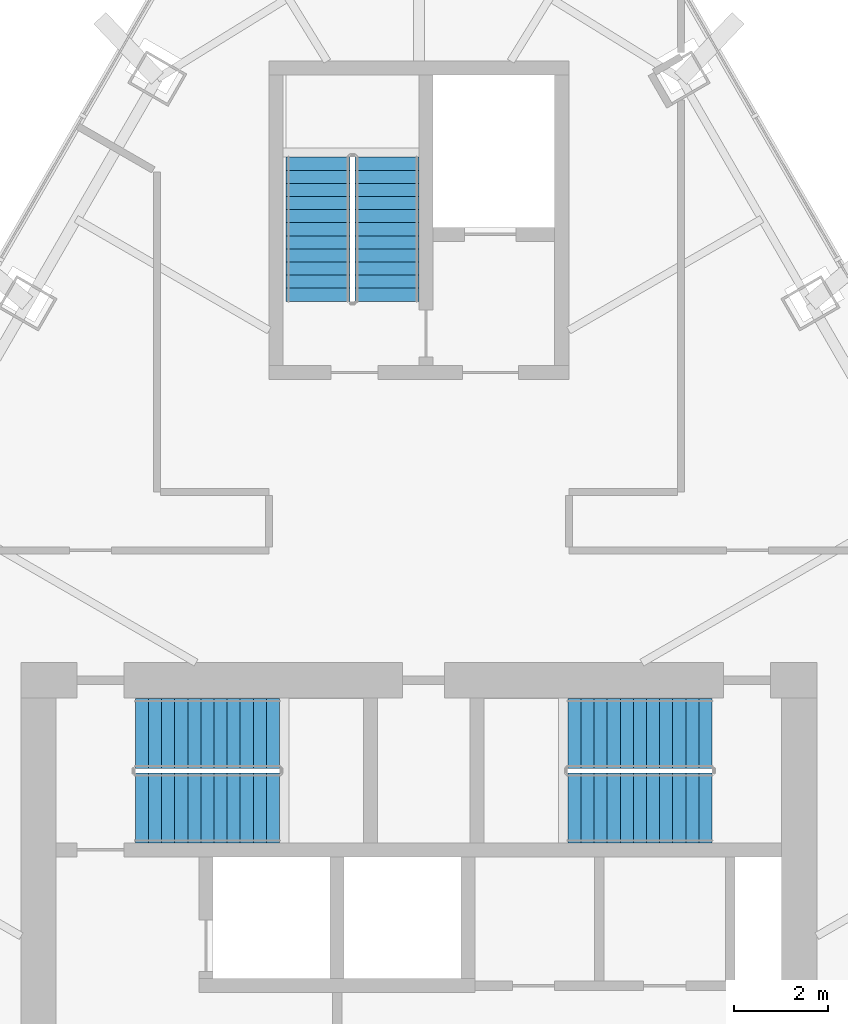
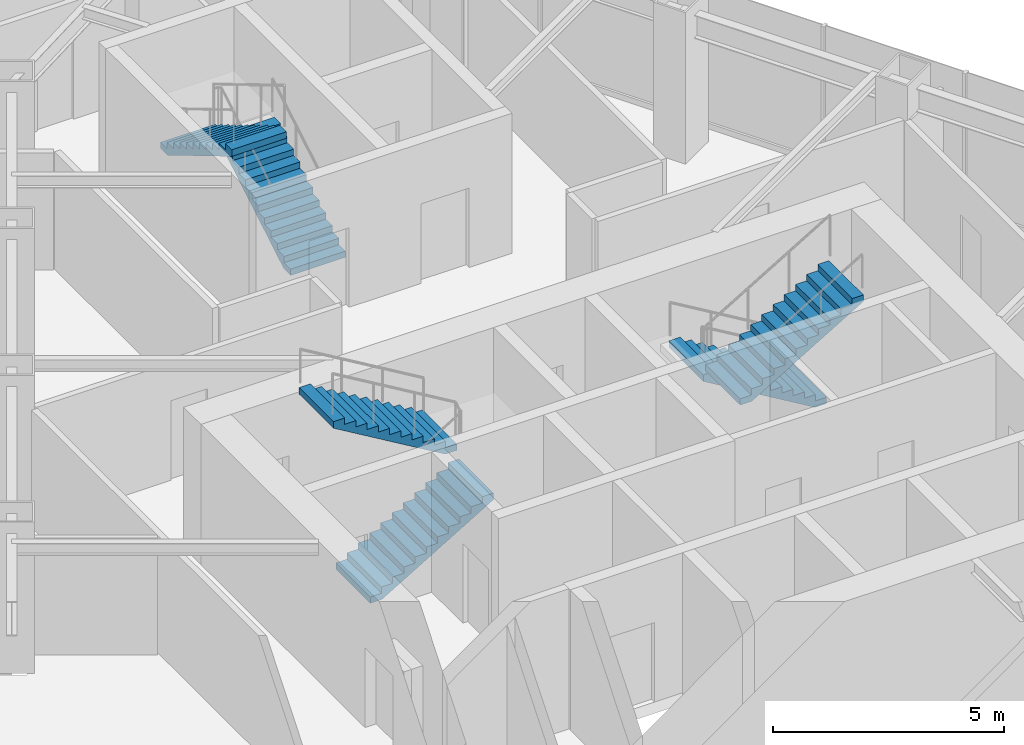
# One storey, part 13 of 14: 6 stair flights, 3 elements without a shape of their own.
"""IFC4 building model written with IfcOpenShell, lengths in metres."""

from ifc_helpers import new_model, si_unit, direction, frame, origin, place, context, subcontext, project, spatial, polyline, outline, extrude, material, type_object, element, aggregate, save


model = new_model("IFC4")

# Units and contexts
model_context = context("Model", 3, precision=1e-05, world=origin(), true_north=direction((0.0, 1.0)))
body_context = subcontext(model_context, "Body", "Model", "MODEL_VIEW")
ifc_project = project(units=[si_unit("LENGTHUNIT", "METRE"), si_unit("AREAUNIT", "SQUARE_METRE"), si_unit("VOLUMEUNIT", "CUBIC_METRE"), si_unit("PLANEANGLEUNIT", "RADIAN"), si_unit("MASSUNIT", "GRAM", prefix="KILO")], contexts=[model_context])

# Site, building, storey
site_placement = place(None, origin())
site = spatial("IfcSite", under=ifc_project, at=site_placement, CompositionType="ELEMENT")
building_placement = place(site_placement, origin())
building = spatial("IfcBuilding", under=site, at=building_placement, Name="Firuza Gate Tower and Library", CompositionType="ELEMENT")
storey_placement = place(building_placement, frame((0.0, 0.0, 331.60009765625)))
storey = spatial("IfcBuildingStorey", under=building, at=storey_placement, Name="L81", CompositionType="ELEMENT", Elevation=331.60009765625)

# Stair, stair flights
ifc_material_1 = material(Name="Concrete C35/45", Category="concrete")
stair_type_1 = type_object("IfcStairType", Name="Exit stair ST18", PredefinedType="HALF_TURN_STAIR", material=ifc_material_1)
placement = place(storey_placement, origin())
stair_1 = element("IfcStair", 1, at=placement, inside=storey, type_object=stair_type_1, Name="L81 Stair ST3", PredefinedType="HALF_TURN_STAIR")
ifc_material_2 = material(Name="Concrete C35/45", Category="concrete")
stair_flight_type_1 = type_object("IfcStairFlightType", Name="Stair flight 12 risers 166.7 width 1370", PredefinedType="STRAIGHT", material=ifc_material_2)
stair_flight_1_placement = place(storey_placement, frame((74.31494140625, 89.469970703125, 0.0), z_axis=(0.0, 0.0, 1.0), x_axis=(0.0, 1.0, 0.0)))
stair_flight_1 = element("IfcStairFlight", 2, at=stair_flight_1_placement, type_object=stair_flight_type_1, Name="ST3 flight 1", NumberOfRisers=12, NumberOfTreads=11, PredefinedType="STRAIGHT", RiserHeight=0.166666667, TreadLength=0.28, context=body_context, shape_type="SweptSolid", body=[
    extrude(outline(polyline([(0.0, 0.0), (0.0, 0.166748046875), (0.280029296875, 0.166748046875), (0.280029296875, 0.333251953125), (0.56005859375, 0.333251953125), (0.56005859375, 0.5), (0.840087890625, 0.5), (0.840087890625, 0.666748046875), (1.1201171875, 0.666748046875), (1.1201171875, 0.833251953125), (1.39990234375, 0.833251953125), (1.39990234375, 1.0), (1.679931640625, 1.0), (1.679931640625, 1.166748046875), (1.9599609375, 1.166748046875), (1.9599609375, 1.333251953125), (2.239990234375, 1.333251953125), (2.239990234375, 1.5), (2.52001953125, 1.5), (2.52001953125, 1.666748046875), (2.800048828125, 1.666748046875), (2.800048828125, 1.833251953125), (3.080078125, 1.833251953125), (3.080078125, 2.0), (3.080078125, 1.658935546875), (0.29296875, 0.0), (0.0, 0.0)])), frame((0.0, 0.68505859375, 0.0), z_axis=(0.0, -1.0, 0.0), x_axis=(1.0, 0.0, 0.0)), (0.0, 0.0, 1.0), 1.3701171875),
])
stair_flight_2_placement = place(storey_placement, frame((72.844970703125, 92.550048828125, 2.0), z_axis=(0.0, 0.0, 1.0), x_axis=(0.0, -1.0, 0.0)))
stair_flight_2 = element("IfcStairFlight", 3, at=stair_flight_2_placement, type_object=stair_flight_type_1, Name="ST3 flight 2", NumberOfRisers=12, NumberOfTreads=11, PredefinedType="STRAIGHT", RiserHeight=0.166666667, TreadLength=0.28, context=body_context, shape_type="SweptSolid", body=[
    extrude(outline(polyline([(0.0, 0.0), (0.0, 0.166748046875), (0.280029296875, 0.166748046875), (0.280029296875, 0.333251953125), (0.56005859375, 0.333251953125), (0.56005859375, 0.5), (0.840087890625, 0.5), (0.840087890625, 0.666748046875), (1.1201171875, 0.666748046875), (1.1201171875, 0.833251953125), (1.39990234375, 0.833251953125), (1.39990234375, 1.0), (1.679931640625, 1.0), (1.679931640625, 1.166748046875), (1.9599609375, 1.166748046875), (1.9599609375, 1.333251953125), (2.239990234375, 1.333251953125), (2.239990234375, 1.5), (2.52001953125, 1.5), (2.52001953125, 1.666748046875), (2.800048828125, 1.666748046875), (2.800048828125, 1.833251953125), (3.080078125, 1.833251953125), (3.080078125, 2.0), (3.080078125, 1.658935546875), (0.29296875, 0.0), (0.0, 0.0)])), frame((0.0, 0.68505859375, 0.0), z_axis=(0.0, -1.0, 0.0), x_axis=(1.0, 0.0, 0.0)), (0.0, 0.0, 1.0), 1.3701171875),
])
aggregate(stair_1, [stair_flight_1, stair_flight_2])

ifc_material_3 = material(Name="Concrete C35/45", Category="concrete")
stair_type_2 = type_object("IfcStairType", Name="Exit stair ST9", PredefinedType="HALF_TURN_STAIR", material=ifc_material_3)
stair_2 = element("IfcStair", 4, at=placement, inside=storey, type_object=stair_type_2, Name="L81 Stair ST1", PredefinedType="HALF_TURN_STAIR")
ifc_material_4 = material(Name="Concrete C35/45", Category="concrete")
stair_flight_type_2 = type_object("IfcStairFlightType", Name="Stair flight 12 risers 166.7 width 1490", PredefinedType="STRAIGHT", material=ifc_material_4)
stair_flight_3_placement = place(storey_placement, frame((68.93994140625, 78.64501953125, 0.0), z_axis=(0.0, 0.0, 1.0), x_axis=(1.0, 0.0, 0.0)))
stair_flight_3 = element("IfcStairFlight", 5, at=stair_flight_3_placement, type_object=stair_flight_type_2, Name="ST1 flight 1", NumberOfRisers=12, NumberOfTreads=11, PredefinedType="STRAIGHT", RiserHeight=0.166666667, TreadLength=0.28, context=body_context, shape_type="SweptSolid", body=[
    extrude(outline(polyline([(0.0, 0.0), (0.0, 0.166748046875), (0.280029296875, 0.166748046875), (0.280029296875, 0.333251953125), (0.56005859375, 0.333251953125), (0.56005859375, 0.5), (0.840087890625, 0.5), (0.840087890625, 0.666748046875), (1.1201171875, 0.666748046875), (1.1201171875, 0.833251953125), (1.39990234375, 0.833251953125), (1.39990234375, 1.0), (1.679931640625, 1.0), (1.679931640625, 1.166748046875), (1.9599609375, 1.166748046875), (1.9599609375, 1.333251953125), (2.239990234375, 1.333251953125), (2.239990234375, 1.5), (2.52001953125, 1.5), (2.52001953125, 1.666748046875), (2.800048828125, 1.666748046875), (2.800048828125, 1.833251953125), (3.080078125, 1.833251953125), (3.080078125, 2.0), (3.080078125, 1.658935546875), (0.29296875, 0.0), (0.0, 0.0)])), frame((0.0, 0.7451171875, 0.0), z_axis=(0.0, -1.0, 0.0), x_axis=(1.0, 0.0, 0.0)), (0.0, 0.0, 1.0), 1.489990234375),
])
stair_flight_4_placement = place(storey_placement, frame((72.02001953125, 80.235107421875, 2.0), z_axis=(0.0, 0.0, 1.0), x_axis=(-1.0, 0.0, 0.0)))
stair_flight_4 = element("IfcStairFlight", 6, at=stair_flight_4_placement, type_object=stair_flight_type_2, Name="ST1 flight 2", NumberOfRisers=12, NumberOfTreads=11, PredefinedType="STRAIGHT", RiserHeight=0.166666667, TreadLength=0.28, context=body_context, shape_type="SweptSolid", body=[
    extrude(outline(polyline([(0.0, 0.0), (0.0, 0.166748046875), (0.280029296875, 0.166748046875), (0.280029296875, 0.333251953125), (0.56005859375, 0.333251953125), (0.56005859375, 0.5), (0.840087890625, 0.5), (0.840087890625, 0.666748046875), (1.1201171875, 0.666748046875), (1.1201171875, 0.833251953125), (1.39990234375, 0.833251953125), (1.39990234375, 1.0), (1.679931640625, 1.0), (1.679931640625, 1.166748046875), (1.9599609375, 1.166748046875), (1.9599609375, 1.333251953125), (2.239990234375, 1.333251953125), (2.239990234375, 1.5), (2.52001953125, 1.5), (2.52001953125, 1.666748046875), (2.800048828125, 1.666748046875), (2.800048828125, 1.833251953125), (3.080078125, 1.833251953125), (3.080078125, 2.0), (3.080078125, 1.658935546875), (0.29296875, 0.0), (0.0, 0.0)])), frame((0.0, 0.7451171875, 0.0), z_axis=(0.0, -1.0, 0.0), x_axis=(1.0, 0.0, 0.0)), (0.0, 0.0, 1.0), 1.489990234375),
])
aggregate(stair_2, [stair_flight_3, stair_flight_4])

stair_3 = element("IfcStair", 7, at=placement, inside=storey, type_object=stair_type_2, Name="L81 Stair ST2", PredefinedType="HALF_TURN_STAIR")
stair_flight_5_placement = place(storey_placement, frame((81.260009765625, 80.235107421875, 0.0), z_axis=(0.0, 0.0, 1.0), x_axis=(-1.0, 0.0, 0.0)))
stair_flight_5 = element("IfcStairFlight", 8, at=stair_flight_5_placement, type_object=stair_flight_type_2, Name="ST2 flight 1", NumberOfRisers=12, NumberOfTreads=11, PredefinedType="STRAIGHT", RiserHeight=0.166666667, TreadLength=0.28, context=body_context, shape_type="SweptSolid", body=[
    extrude(outline(polyline([(0.0, 0.0), (0.0, 0.166748046875), (0.280029296875, 0.166748046875), (0.280029296875, 0.333251953125), (0.56005859375, 0.333251953125), (0.56005859375, 0.5), (0.840087890625, 0.5), (0.840087890625, 0.666748046875), (1.1201171875, 0.666748046875), (1.1201171875, 0.833251953125), (1.39990234375, 0.833251953125), (1.39990234375, 1.0), (1.679931640625, 1.0), (1.679931640625, 1.166748046875), (1.9599609375, 1.166748046875), (1.9599609375, 1.333251953125), (2.239990234375, 1.333251953125), (2.239990234375, 1.5), (2.52001953125, 1.5), (2.52001953125, 1.666748046875), (2.800048828125, 1.666748046875), (2.800048828125, 1.833251953125), (3.080078125, 1.833251953125), (3.080078125, 2.0), (3.080078125, 1.658935546875), (0.29296875, 0.0), (0.0, 0.0)])), frame((0.0, 0.7451171875, 0.0), z_axis=(0.0, -1.0, 0.0), x_axis=(1.0, 0.0, 0.0)), (0.0, 0.0, 1.0), 1.489990234375),
])
stair_flight_6_placement = place(storey_placement, frame((78.179931640625, 78.64501953125, 2.0), z_axis=(0.0, 0.0, 1.0), x_axis=(1.0, 0.0, 0.0)))
stair_flight_6 = element("IfcStairFlight", 9, at=stair_flight_6_placement, type_object=stair_flight_type_2, Name="ST2 flight 2", NumberOfRisers=12, NumberOfTreads=11, PredefinedType="STRAIGHT", RiserHeight=0.166666667, TreadLength=0.28, context=body_context, shape_type="SweptSolid", body=[
    extrude(outline(polyline([(0.0, 0.0), (0.0, 0.166748046875), (0.280029296875, 0.166748046875), (0.280029296875, 0.333251953125), (0.56005859375, 0.333251953125), (0.56005859375, 0.5), (0.840087890625, 0.5), (0.840087890625, 0.666748046875), (1.1201171875, 0.666748046875), (1.1201171875, 0.833251953125), (1.39990234375, 0.833251953125), (1.39990234375, 1.0), (1.679931640625, 1.0), (1.679931640625, 1.166748046875), (1.9599609375, 1.166748046875), (1.9599609375, 1.333251953125), (2.239990234375, 1.333251953125), (2.239990234375, 1.5), (2.52001953125, 1.5), (2.52001953125, 1.666748046875), (2.800048828125, 1.666748046875), (2.800048828125, 1.833251953125), (3.080078125, 1.833251953125), (3.080078125, 2.0), (3.080078125, 1.658935546875), (0.29296875, 0.0), (0.0, 0.0)])), frame((0.0, 0.7451171875, 0.0), z_axis=(0.0, -1.0, 0.0), x_axis=(1.0, 0.0, 0.0)), (0.0, 0.0, 1.0), 1.489990234375),
])
aggregate(stair_3, [stair_flight_5, stair_flight_6])

save(model, "model.ifc")
